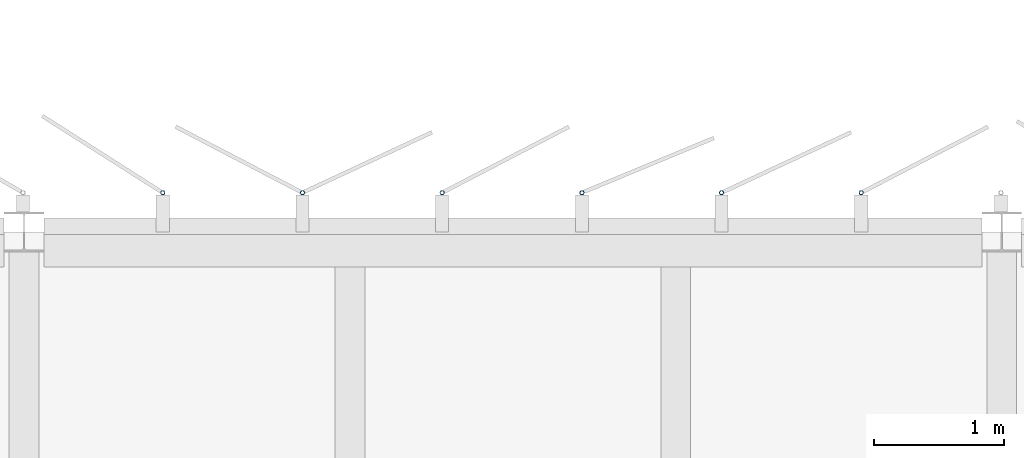
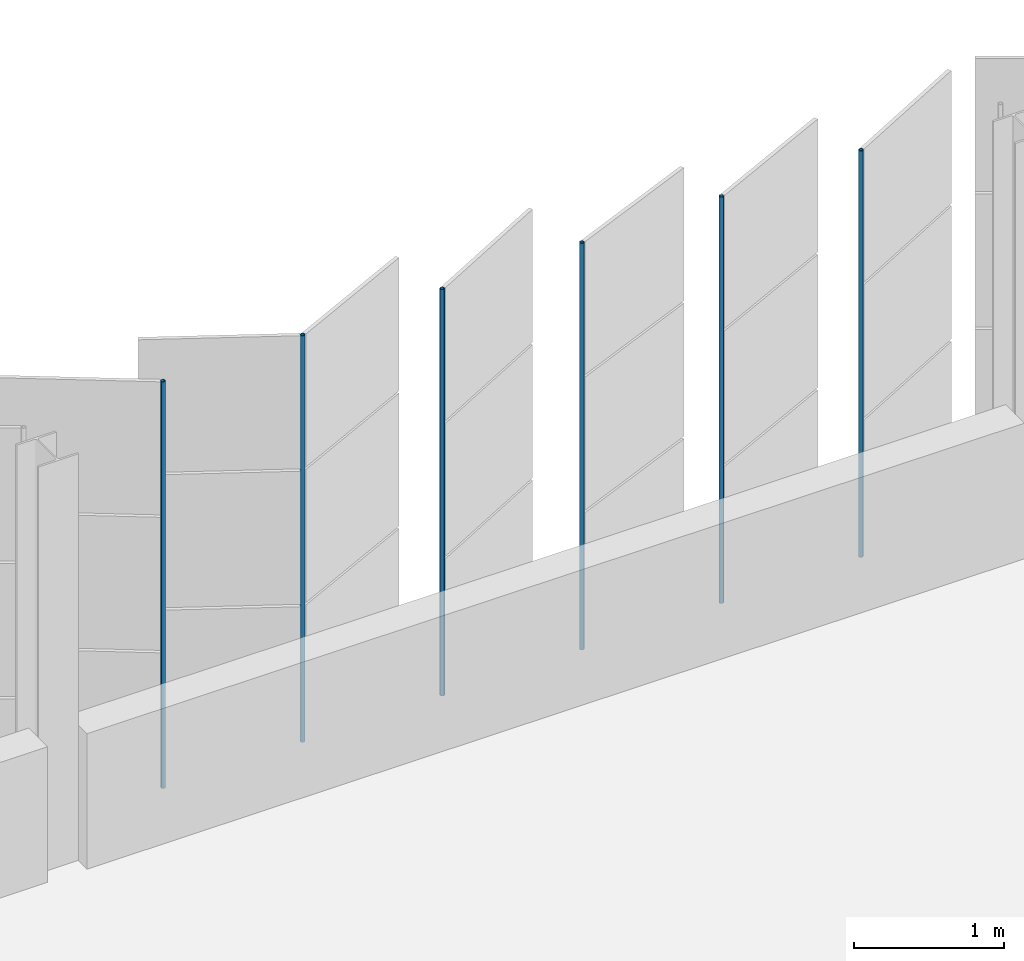
# One storey, part 145 of 199: 6 discrete accessories.
"""IFC4 building model written with IfcOpenShell, lengths in metres."""

from ifc_helpers import new_model, si_unit, direction, frame, origin, origin_2d, place, context, subcontext, project, spatial, hollow_circle, extrude, material, material_profile, profile_set, type_object, element, save


model = new_model("IFC4")

# Units and contexts
model_context = context("Model", 3, precision=1e-05, world=origin(), true_north=direction((0.0, 1.0)))
body_context = subcontext(model_context, "Body", "Model", "MODEL_VIEW")
ifc_project = project(units=[si_unit("LENGTHUNIT", "METRE"), si_unit("AREAUNIT", "SQUARE_METRE"), si_unit("VOLUMEUNIT", "CUBIC_METRE"), si_unit("PLANEANGLEUNIT", "RADIAN"), si_unit("MASSUNIT", "GRAM", prefix="KILO")], contexts=[model_context])

# Site, building, storey
site_placement = place(None, origin())
site = spatial("IfcSite", under=ifc_project, at=site_placement, CompositionType="ELEMENT")
building_placement = place(site_placement, origin())
building = spatial("IfcBuilding", under=site, at=building_placement, Name="Parallax Yard Mobility Hub", CompositionType="ELEMENT")
storey_placement = place(building_placement, frame((0.0, 0.0, 9.89990234375)))
storey = spatial("IfcBuildingStorey", under=building, at=storey_placement, Name="L03", CompositionType="ELEMENT", Elevation=9.89990234375)

# Discrete accessories
ifc_material = material(Name="Steel ASTM A500 Gr C, hot-dip galvanised", Category="steel")
ifc_material_profile = material_profile(ifc_material, hollow_circle(Radius=0.016845703125, WallThickness=0.003173828125, at=origin_2d()), Name="CHS 33.7x3.2")
ifc_profile_set = profile_set([ifc_material_profile], Name="Steel ASTM A500 Gr C, hot-dip galvanised")
discrete_accessory_type = type_object("IfcDiscreteAccessoryType", Name="Hinge post CHS 33.7x3.2", PredefinedType="BRACKET", material=ifc_profile_set)
for number, where, z_axis, x_axis, name in (
    (1, (103.92236328125, 142.800048828125, 0.0), (0.0, 0.0, 1.0), (1.0, 0.0, 0.0), "Hinge post bay 60.2 level L03"),
    (2, (102.850830078125, 142.800048828125, 0.0), (0.0, 0.0, 1.0), (1.0, 0.0, 0.0), "Hinge post bay 60.3 level L03"),
    (3, (101.779296875, 142.800048828125, 0.0), (0.0, 0.0, 1.0), (1.0, 0.0, 0.0), "Hinge post bay 60.4 level L03"),
    (4, (100.707763671875, 142.800048828125, 0.0), (0.0, 0.0, 1.0), (1.0, 0.0, 0.0), "Hinge post bay 60.5 level L03"),
    (5, (99.635986328125, 142.800048828125, 0.0), (0.0, 0.0, 1.0), (1.0, 0.0, 0.0), "Hinge post bay 60.6 level L03"),
    (6, (98.564453125, 142.800048828125, 0.0), (0.0, 0.0, 1.0), (1.0, 0.0, 0.0), "Hinge post bay 60.7 level L03"),
):
    element("IfcDiscreteAccessory", number, at=place(storey_placement, frame(where, z_axis=z_axis, x_axis=x_axis)), inside=storey, type_object=discrete_accessory_type, Name=name, PredefinedType="BRACKET", context=body_context, shape_type="SweptSolid", body=[
        extrude(hollow_circle(Radius=0.016845703125, WallThickness=0.003173828125, at=origin_2d()), origin(), (0.0, 0.0, 1.0), 3.300048828125),
    ])

save(model, "model.ifc")
